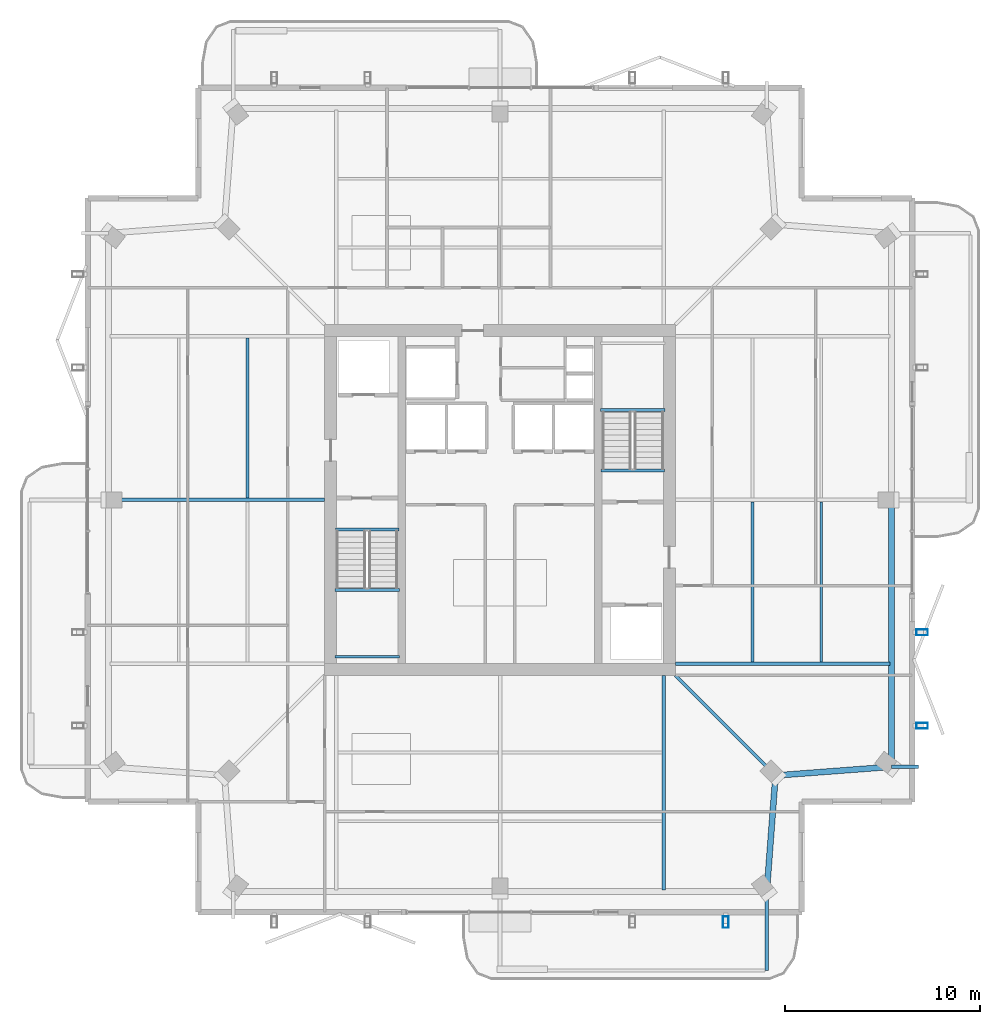
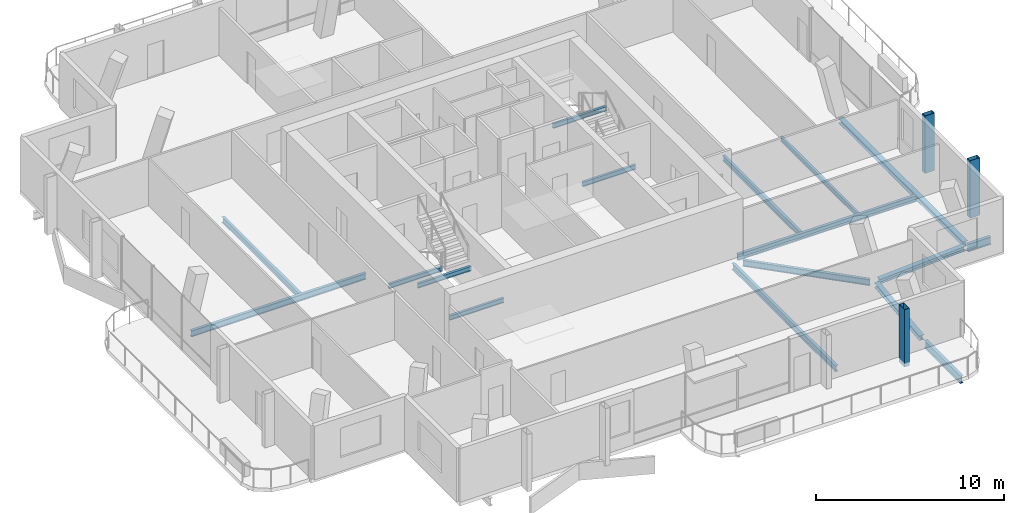
# One storey, part 8 of 20: 17 beams, 3 members.
"""IFC4 building model written with IfcOpenShell, lengths in metres."""

from ifc_helpers import new_model, si_unit, direction, frame, origin, origin_2d, place, context, subcontext, project, spatial, hollow_rectangle, i_section, extrude, material, material_profile, profile_set, type_object, element, save


model = new_model("IFC4")

# Units and contexts
model_context = context("Model", 3, precision=1e-05, world=origin(), true_north=direction((0.0, 1.0)))
body_context = subcontext(model_context, "Body", "Model", "MODEL_VIEW")
ifc_project = project(units=[si_unit("LENGTHUNIT", "METRE"), si_unit("AREAUNIT", "SQUARE_METRE"), si_unit("VOLUMEUNIT", "CUBIC_METRE"), si_unit("PLANEANGLEUNIT", "RADIAN"), si_unit("MASSUNIT", "GRAM", prefix="KILO")], contexts=[model_context])

# Site, building, storey
site_placement = place(None, origin())
site = spatial("IfcSite", under=ifc_project, at=site_placement, CompositionType="ELEMENT")
building_placement = place(site_placement, origin())
building = spatial("IfcBuilding", under=site, at=building_placement, Name="Belovzor Exchange Tower", CompositionType="ELEMENT")
storey_placement = place(building_placement, frame((0.0, 0.0, 351.75)))
storey = spatial("IfcBuildingStorey", under=building, at=storey_placement, Name="L88", CompositionType="ELEMENT", Elevation=351.75)

# Beams
ifc_material_1 = material(Name="Steel S355", Category="steel")
ifc_material_profile_1 = material_profile(ifc_material_1, i_section(OverallWidth=0.199951171875, OverallDepth=0.5, WebThickness=0.01025390625, FlangeThickness=0.01611328125, at=origin_2d()))
ifc_profile_set_1 = profile_set([ifc_material_profile_1], Name="Steel S355")
beam_type_1 = type_object("IfcBeamType", Name="Planted Balcony Cantilever Beam IPE 500", PredefinedType="BEAM", material=ifc_profile_set_1)
beam_1_placement = place(storey_placement, frame((42.5, 8.47998046875, -0.489990234375), z_axis=(0.0, -1.0, 0.0), x_axis=(1.0, 0.0, 0.0)))
element("IfcBeam", 1, at=beam_1_placement, inside=storey, type_object=beam_type_1, Name="BC-500 Planted Balcony Cantilever Beam IPE 500", PredefinedType="BEAM", context=body_context, shape_type="SweptSolid", body=[
    extrude(i_section(OverallWidth=0.199951171875, OverallDepth=0.5, WebThickness=0.01025390625, FlangeThickness=0.01611328125, at=origin_2d()), origin(), (0.0, 0.0, 1.0), 3.85009765625),
])
beam_2_placement = place(storey_placement, frame((48.89990234375, 15.10009765625, -0.489990234375), z_axis=(1.0, 0.0, 0.0), x_axis=(0.0, 1.0, 0.0)))
element("IfcBeam", 2, at=beam_2_placement, inside=storey, type_object=beam_type_1, Name="BC-500 Planted Balcony Cantilever Beam IPE 500", PredefinedType="BEAM", context=body_context, shape_type="SweptSolid", body=[
    extrude(i_section(OverallWidth=0.199951171875, OverallDepth=0.5, WebThickness=0.01025390625, FlangeThickness=0.01611328125, at=origin_2d()), origin(), (0.0, 0.0, 1.0), 1.400146484375),
])
ifc_material_2 = material(Name="Steel S355", Category="steel")
ifc_material_profile_2 = material_profile(ifc_material_2, i_section(OverallWidth=0.169921875, OverallDepth=0.360107421875, WebThickness=0.008056640625, FlangeThickness=0.0126953125, at=origin_2d()))
ifc_profile_set_2 = profile_set([ifc_material_profile_2], Name="Steel S355")
beam_type_2 = type_object("IfcBeamType", Name="Secondary Infill Floor Joist IPE 360", PredefinedType="BEAM", material=ifc_profile_set_2)
beam_3_placement = place(storey_placement, frame((15.8310546875, 28.889892578125, -0.419921875), z_axis=(0.0, 1.0, 0.0), x_axis=(-1.0, 0.0, 0.0)))
element("IfcBeam", 3, at=beam_3_placement, inside=storey, type_object=beam_type_2, Name="FJ-360 Secondary Infill Floor Joist IPE 360", PredefinedType="BEAM", context=body_context, shape_type="SweptSolid", body=[
    extrude(i_section(OverallWidth=0.169921875, OverallDepth=0.360107421875, WebThickness=0.008056640625, FlangeThickness=0.0126953125, at=origin_2d()), origin(), (0.0, 0.0, 1.0), 8.22021484375),
])
beam_4_placement = place(storey_placement, frame((41.76904296875, 20.489990234375, -0.419921875), z_axis=(0.0, 1.0, 0.0), x_axis=(-1.0, 0.0, 0.0)))
element("IfcBeam", 4, at=beam_4_placement, inside=storey, type_object=beam_type_2, Name="FJ-360 Secondary Infill Floor Joist IPE 360", PredefinedType="BEAM", context=body_context, shape_type="SweptSolid", body=[
    extrude(i_section(OverallWidth=0.169921875, OverallDepth=0.360107421875, WebThickness=0.008056640625, FlangeThickness=0.0126953125, at=origin_2d()), origin(), (0.0, 0.0, 1.0), 8.219970703125),
])
ifc_material_3 = material(Name="Steel S355", Category="steel")
ifc_material_profile_3 = material_profile(ifc_material_3, i_section(OverallWidth=0.14990234375, OverallDepth=0.300048828125, WebThickness=0.007080078125, FlangeThickness=0.0107421875, at=origin_2d()))
ifc_profile_set_3 = profile_set([ifc_material_profile_3], Name="Steel S355")
beam_type_3 = type_object("IfcBeamType", Name="Secondary Trim Floor Joist IPE 300", PredefinedType="BEAM", material=ifc_profile_set_3)
for number, where, z_axis, x_axis, name in (
    (5, (20.320068359375, 24.179931640625, 1.52490234375), (1.0, 0.0, 0.0), (0.0, 1.0, 0.0), "FJ-300 Secondary Trim Floor Joist IPE 300"),
    (6, (20.320068359375, 20.75, 1.52490234375), (1.0, 0.0, 0.0), (0.0, 1.0, 0.0), "FJ-300 Secondary Trim Floor Joist IPE 300"),
):
    element("IfcBeam", number, at=place(storey_placement, frame(where, z_axis=z_axis, x_axis=x_axis)), inside=storey, type_object=beam_type_3, Name=name, PredefinedType="BEAM", context=body_context, shape_type="SweptSolid", body=[
        extrude(i_section(OverallWidth=0.14990234375, OverallDepth=0.300048828125, WebThickness=0.007080078125, FlangeThickness=0.0107421875, at=origin_2d()), origin(), (0.0, 0.0, 1.0), 3.309814453125),
    ])
beam_5_placement = place(storey_placement, frame((20.340087890625, 27.280029296875, -0.389892578125), z_axis=(1.0, 0.0, 0.0), x_axis=(0.0, 1.0, 0.0)))
element("IfcBeam", 7, at=beam_5_placement, inside=storey, type_object=beam_type_3, Name="FJ-300 Secondary Trim Floor Joist IPE 300", PredefinedType="BEAM", context=body_context, shape_type="SweptSolid", body=[
    extrude(i_section(OverallWidth=0.14990234375, OverallDepth=0.300048828125, WebThickness=0.007080078125, FlangeThickness=0.0107421875, at=origin_2d()), origin(), (0.0, 0.0, 1.0), 3.27001953125),
])
beam_6_placement = place(storey_placement, frame((37.280029296875, 33.419921875, 1.52490234375), z_axis=(-1.0, 0.0, 0.0), x_axis=(0.0, -1.0, 0.0)))
element("IfcBeam", 8, at=beam_6_placement, inside=storey, type_object=beam_type_3, Name="FJ-300 Secondary Trim Floor Joist IPE 300", PredefinedType="BEAM", context=body_context, shape_type="SweptSolid", body=[
    extrude(i_section(OverallWidth=0.14990234375, OverallDepth=0.300048828125, WebThickness=0.007080078125, FlangeThickness=0.0107421875, at=origin_2d()), origin(), (0.0, 0.0, 1.0), 3.31005859375),
])
beam_7_placement = place(storey_placement, frame((37.260009765625, 30.320068359375, -0.389892578125), z_axis=(-1.0, 0.0, 0.0), x_axis=(0.0, -1.0, 0.0)))
element("IfcBeam", 9, at=beam_7_placement, inside=storey, type_object=beam_type_3, Name="FJ-300 Secondary Trim Floor Joist IPE 300", PredefinedType="BEAM", context=body_context, shape_type="SweptSolid", body=[
    extrude(i_section(OverallWidth=0.14990234375, OverallDepth=0.300048828125, WebThickness=0.007080078125, FlangeThickness=0.0107421875, at=origin_2d()), origin(), (0.0, 0.0, 1.0), 3.27001953125),
])
beam_8_placement = place(storey_placement, frame((45.297119140625, 20.489990234375, -0.389892578125), z_axis=(0.0, 1.0, 0.0), x_axis=(-1.0, 0.0, 0.0)))
element("IfcBeam", 10, at=beam_8_placement, inside=storey, type_object=beam_type_3, Name="FJ-300 Secondary Trim Floor Joist IPE 300", PredefinedType="BEAM", context=body_context, shape_type="SweptSolid", body=[
    extrude(i_section(OverallWidth=0.14990234375, OverallDepth=0.300048828125, WebThickness=0.007080078125, FlangeThickness=0.0107421875, at=origin_2d()), origin(), (0.0, 0.0, 1.0), 8.219970703125),
])

# Members
ifc_material_4 = material(Name="Extruded Architectural Terracotta on Steel S355 Carrier", Category="masonry")
ifc_material_profile_4 = material_profile(ifc_material_4, hollow_rectangle(XDim=0.300048828125, YDim=0.60009765625, WallThickness=0.01611328125, at=origin_2d()))
ifc_profile_set_4 = profile_set([ifc_material_profile_4], Name="Extruded Architectural Terracotta on Steel S355 Carrier")
member_type = type_object("IfcMemberType", Name="Upper Crown Terracotta Fin Assembly 550", PredefinedType="USERDEFINED", material=ifc_profile_set_4)
for number, where, z_axis, x_axis, name in (
    (11, (50.47509765625, 17.199951171875, -0.239990234375), (0.0, 0.0, 1.0), (0.0, 1.0, 0.0), "FIN-TC055 Terracotta Facade Fin L88 E1"),
    (12, (50.47509765625, 22.0, -0.239990234375), (0.0, 0.0, 1.0), (0.0, 1.0, 0.0), "FIN-TC055 Terracotta Facade Fin L88 E2"),
    (13, (40.39990234375, 7.125, -0.239990234375), (0.0, 0.0, 1.0), (1.0, 0.0, 0.0), "FIN-TC055 Terracotta Facade Fin L88 S4"),
):
    element("IfcMember", number, at=place(storey_placement, frame(where, z_axis=z_axis, x_axis=x_axis)), inside=storey, type_object=member_type, Name=name, ObjectType="FIN", PredefinedType="USERDEFINED", context=body_context, shape_type="SweptSolid", body=[
        extrude(hollow_rectangle(XDim=0.300048828125, YDim=0.60009765625, WallThickness=0.01611328125, at=origin_2d()), origin(), (0.0, 0.0, 1.0), 3.72998046875),
    ])

# Beams
ifc_material_5 = material(Name="Steel S355", Category="steel")
ifc_material_profile_5 = material_profile(ifc_material_5, i_section(OverallWidth=0.179931640625, OverallDepth=0.39990234375, WebThickness=0.008544921875, FlangeThickness=0.013427734375, at=origin_2d()))
ifc_profile_set_5 = profile_set([ifc_material_profile_5], Name="Steel S355")
beam_type_4 = type_object("IfcBeamType", Name="Zone 5-6 Radial Composite Floor Beam IPE 400", PredefinedType="BEAM", material=ifc_profile_set_5)
beam_9_placement = place(storey_placement, frame((37.199951171875, 19.800048828125, -0.43994140625), z_axis=(0.0, -1.0, 0.0), x_axis=(1.0, 0.0, 0.0)))
element("IfcBeam", 14, at=beam_9_placement, inside=storey, type_object=beam_type_4, Name="FB-400 Zone 5-6 Radial Composite Floor Beam IPE 400", PredefinedType="BEAM", context=body_context, shape_type="SweptSolid", body=[
    extrude(i_section(OverallWidth=0.179931640625, OverallDepth=0.39990234375, WebThickness=0.008544921875, FlangeThickness=0.013427734375, at=origin_2d()), origin(), (0.0, 0.0, 1.0), 11.025146484375),
])
beam_10_placement = place(storey_placement, frame((19.800048828125, 28.800048828125, -0.43994140625), z_axis=(-1.0, 0.0, 0.0), x_axis=(0.0, -1.0, 0.0)))
element("IfcBeam", 15, at=beam_10_placement, inside=storey, type_object=beam_type_4, Name="FB-400 Zone 5-6 Radial Composite Floor Beam IPE 400", PredefinedType="BEAM", context=body_context, shape_type="SweptSolid", body=[
    extrude(i_section(OverallWidth=0.179931640625, OverallDepth=0.39990234375, WebThickness=0.008544921875, FlangeThickness=0.013427734375, at=origin_2d()), origin(), (0.0, 0.0, 1.0), 10.748046875),
])
beam_11_placement = place(storey_placement, frame((37.800048828125, 20.39990234375, -0.43994140625), z_axis=(1.0, 0.0, 0.0), x_axis=(0.0, 1.0, 0.0)))
element("IfcBeam", 16, at=beam_11_placement, inside=storey, type_object=beam_type_4, Name="FB-400 Zone 5-6 Radial Composite Floor Beam IPE 400", PredefinedType="BEAM", context=body_context, shape_type="SweptSolid", body=[
    extrude(i_section(OverallWidth=0.179931640625, OverallDepth=0.39990234375, WebThickness=0.008544921875, FlangeThickness=0.013427734375, at=origin_2d()), origin(), (0.0, 0.0, 1.0), 11.02490234375),
])
beam_12_placement = place(storey_placement, frame((37.800048828125, 19.800048828125, -0.43994140625), z_axis=(0.707106781187, -0.707106781187, 0.0), x_axis=(0.707106781187, 0.707106781187, 0.0)))
element("IfcBeam", 17, at=beam_12_placement, inside=storey, type_object=beam_type_4, Name="FB-400 Zone 5-6 Radial Composite Floor Beam IPE 400", PredefinedType="BEAM", context=body_context, shape_type="SweptSolid", body=[
    extrude(i_section(OverallWidth=0.179931640625, OverallDepth=0.39990234375, WebThickness=0.008544921875, FlangeThickness=0.013427734375, at=origin_2d()), origin(), (0.0, 0.0, 1.0), 7.000244140625),
])
ifc_material_6 = material(Name="Steel S355", Category="steel")
ifc_material_profile_6 = material_profile(ifc_material_6, i_section(OverallWidth=0.300048828125, OverallDepth=0.300048828125, WebThickness=0.008544921875, FlangeThickness=0.013916015625, at=origin_2d()))
ifc_profile_set_6 = profile_set([ifc_material_profile_6], Name="Steel S355")
beam_type_5 = type_object("IfcBeamType", Name="Zone 6 Primary Girder HEA 300", PredefinedType="BEAM", material=ifc_profile_set_6)
for number, where, z_axis, x_axis, name in (
    (18, (42.51708984375, 8.9189453125, -0.389892578125), (0.075260983968, 0.99716387033, 0.0), (-0.99716387033, 0.075260983968, 0.0), "FG-Z6 Zone 6 Primary Girder HEA 300"),
    (19, (43.1689453125, 14.6669921875, -0.389892578125), (0.99716387033, 0.075260983968, 0.0), (-0.075260983968, 0.99716387033, 0.0), "FG-Z6 Zone 6 Primary Girder HEA 300"),
):
    element("IfcBeam", number, at=place(storey_placement, frame(where, z_axis=z_axis, x_axis=x_axis)), inside=storey, type_object=beam_type_5, Name=name, PredefinedType="BEAM", context=body_context, shape_type="SweptSolid", body=[
        extrude(i_section(OverallWidth=0.300048828125, OverallDepth=0.300048828125, WebThickness=0.008544921875, FlangeThickness=0.013916015625, at=origin_2d()), origin(), (0.0, 0.0, 1.0), 5.527587890625),
    ])
beam_13_placement = place(storey_placement, frame((48.89990234375, 15.320068359375, -0.389892578125), z_axis=(0.0, 1.0, 0.0), x_axis=(-1.0, 0.0, 0.0)))
element("IfcBeam", 20, at=beam_13_placement, inside=storey, type_object=beam_type_5, Name="FG-Z6 Zone 6 Primary Girder HEA 300", PredefinedType="BEAM", context=body_context, shape_type="SweptSolid", body=[
    extrude(i_section(OverallWidth=0.300048828125, OverallDepth=0.300048828125, WebThickness=0.008544921875, FlangeThickness=0.013916015625, at=origin_2d()), origin(), (0.0, 0.0, 1.0), 13.260009765625),
])

save(model, "model.ifc")
